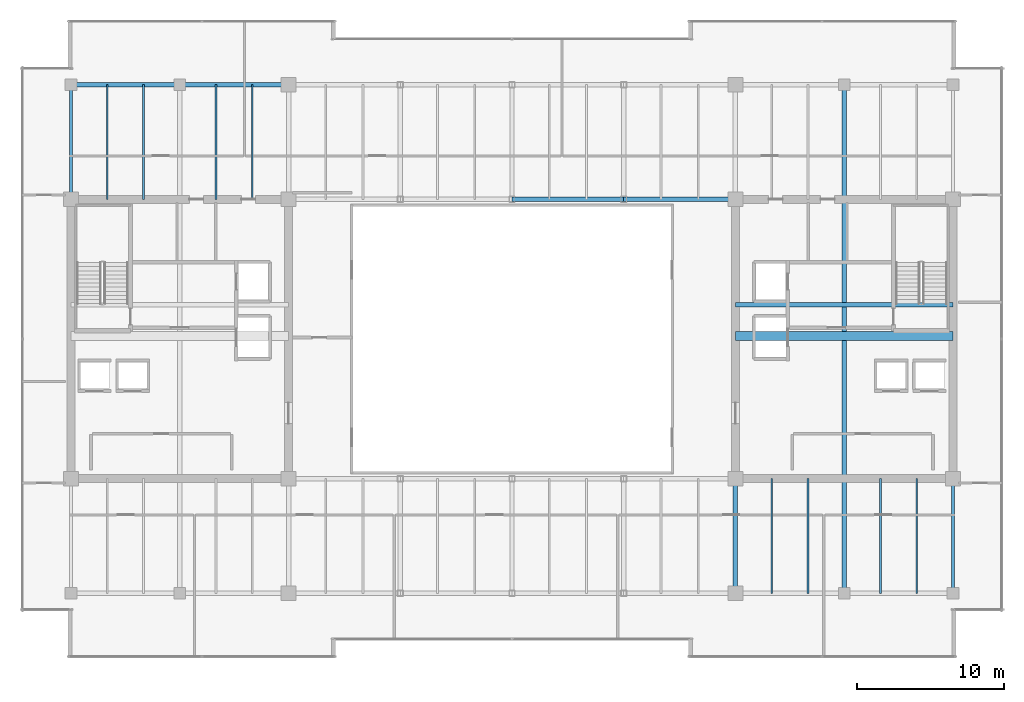
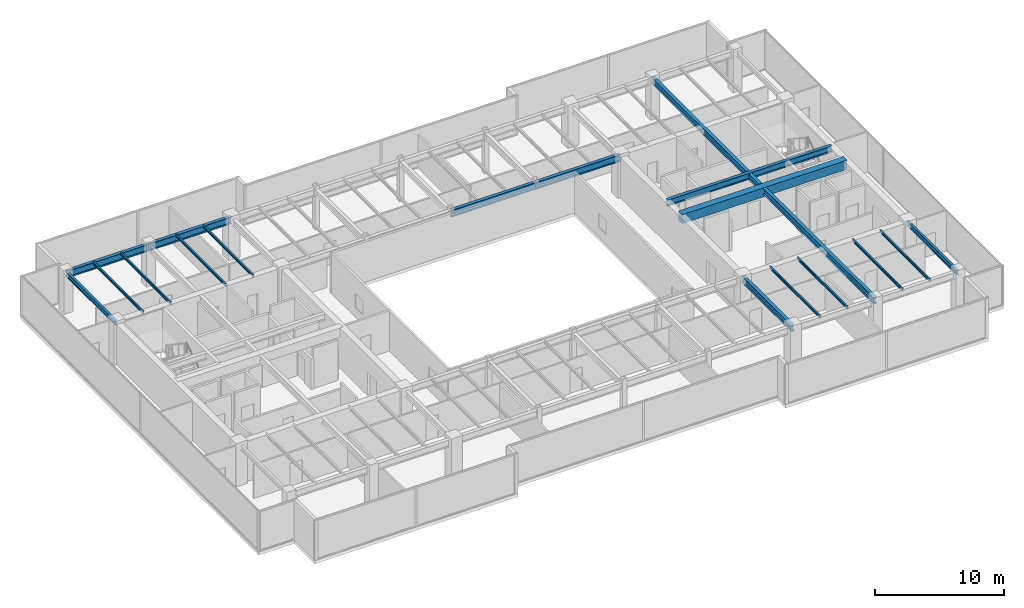
# One storey, part 14 of 33: 18 beams.
"""IFC4 building model written with IfcOpenShell, lengths in metres."""

from ifc_helpers import new_model, si_unit, direction, frame, origin, origin_2d, place, context, subcontext, project, spatial, rectangle, i_section, extrude, source, transform, mapped, material, material_profile, profile_set, type_object, type_shapes, element, save


model = new_model("IFC4")

# Units and contexts
model_context = context("Model", 3, precision=1e-05, world=origin(), true_north=direction((0.0, 1.0)))
body_context = subcontext(model_context, "Body", "Model", "MODEL_VIEW")
ifc_project = project(units=[si_unit("LENGTHUNIT", "METRE"), si_unit("AREAUNIT", "SQUARE_METRE"), si_unit("VOLUMEUNIT", "CUBIC_METRE"), si_unit("PLANEANGLEUNIT", "RADIAN"), si_unit("MASSUNIT", "GRAM", prefix="KILO")], contexts=[model_context])

# Site, building, storey
site_placement = place(None, origin())
site = spatial("IfcSite", under=ifc_project, at=site_placement, CompositionType="ELEMENT")
building_placement = place(site_placement, origin())
building = spatial("IfcBuilding", under=site, at=building_placement, Name="Haelvirn Gate Laboratories", CompositionType="ELEMENT")
storey_placement = place(building_placement, frame((0.0, 0.0, 279.300048828125)))
storey = spatial("IfcBuildingStorey", under=building, at=storey_placement, Name="L67", CompositionType="ELEMENT", Elevation=279.300048828125)

# Beams
ifc_material_1 = material(Name="Steel SM355", Category="steel")
ifc_material_profile_1 = material_profile(ifc_material_1, i_section(OverallWidth=0.300048828125, OverallDepth=0.587890625, WebThickness=0.011962890625, FlangeThickness=0.02001953125, at=origin_2d()), Name="H-588x300x12x20")
ifc_profile_set_1 = profile_set([ifc_material_profile_1], Name="Steel SM355")
beam_type_1 = type_object("IfcBeamType", Name="BM-G-588", PredefinedType="BEAM", material=ifc_profile_set_1)
shared_shape_1 = source(origin(), body_context, "Body", "SweptSolid", [
    extrude(i_section(OverallWidth=0.300048828125, OverallDepth=0.587890625, WebThickness=0.011962890625, FlangeThickness=0.02001953125, at=origin_2d()), origin(), (0.0, 0.0, 1.0), 14.7998046875),
])
beam_1_placement = place(storey_placement, frame((52.60009765625, 26.6201171875, 3.505859375), z_axis=(1.0, 0.0, 0.0), x_axis=(0.0, 1.0, 0.0)))
element("IfcBeam", 1, at=beam_1_placement, inside=storey, type_object=beam_type_1, Name="L67 Stair ST2 Landing Header", PredefinedType="BEAM", context=body_context, shape_type="MappedRepresentation", body=[
    mapped(shared_shape_1, transform((0.0, 0.0, 0.0), scale=1.0)),
])
shared_shape_2 = source(origin(), body_context, "Body", "SweptSolid", [
    extrude(i_section(OverallWidth=0.300048828125, OverallDepth=0.587890625, WebThickness=0.011962890625, FlangeThickness=0.02001953125, at=origin_2d()), origin(), (0.0, 0.0, 1.0), 34.60009765625),
])
beam_2_placement = place(storey_placement, frame((60.0, 7.0, 3.505859375), z_axis=(0.0, 1.0, 0.0), x_axis=(-1.0, 0.0, 0.0)))
element("IfcBeam", 2, at=beam_2_placement, inside=storey, type_object=beam_type_1, Name="L67 Frame Girder X60.0 (7.0-41.6)", PredefinedType="BEAM", context=body_context, shape_type="MappedRepresentation", body=[
    mapped(shared_shape_2, transform((0.0, 0.0, 0.0), scale=1.0)),
])
shared_shape_3 = source(origin(), body_context, "Body", "SweptSolid", [
    extrude(i_section(OverallWidth=0.300048828125, OverallDepth=0.587890625, WebThickness=0.011962890625, FlangeThickness=0.02001953125, at=origin_2d()), origin(), (0.0, 0.0, 1.0), 7.800048828125),
])
type_shapes(beam_type_1, [shared_shape_1, shared_shape_2, shared_shape_3])
beam_3_placement = place(storey_placement, frame((52.60009765625, 7.0, 3.505859375), z_axis=(0.0, 1.0, 0.0), x_axis=(-1.0, 0.0, 0.0)))
element("IfcBeam", 3, at=beam_3_placement, inside=storey, type_object=beam_type_1, Name="L67 Frame Girder X52.6 (7.0-14.8)", PredefinedType="BEAM", context=body_context, shape_type="MappedRepresentation", body=[
    mapped(shared_shape_3, transform((0.0, 0.0, 0.0), scale=1.0)),
])
ifc_material_2 = material(Name="Concrete C50/60", Category="concrete")
ifc_material_profile_2 = material_profile(ifc_material_2, rectangle(XDim=0.60009765625, YDim=0.85009765625, at=origin_2d()), Name="RCB-600x850")
ifc_profile_set_2 = profile_set([ifc_material_profile_2], Name="Concrete C50/60")
beam_type_2 = type_object("IfcBeamType", Name="BM-RCB-850", PredefinedType="LINTEL", material=ifc_profile_set_2)
shared_shape_4 = source(origin(), body_context, "Body", "SweptSolid", [
    extrude(rectangle(XDim=0.60009765625, YDim=0.85009765625, at=origin_2d()), origin(), (0.0, 0.0, 1.0), 14.7998046875),
])
type_shapes(beam_type_2, [shared_shape_4])
beam_4_placement = place(storey_placement, frame((52.60009765625, 24.5, 3.375), z_axis=(1.0, 0.0, 0.0), x_axis=(0.0, 1.0, 0.0)))
element("IfcBeam", 4, at=beam_4_placement, inside=storey, type_object=beam_type_2, Name="L67 East Core Coupling Beam", PredefinedType="LINTEL", context=body_context, shape_type="MappedRepresentation", body=[
    mapped(shared_shape_4, transform((0.0, 0.0, 0.0), scale=1.0)),
])
ifc_material_profile_3 = material_profile(ifc_material_1, i_section(OverallWidth=0.300048828125, OverallDepth=0.64990234375, WebThickness=0.012939453125, FlangeThickness=0.02197265625, at=origin_2d()), Name="H-650x300x13x22")
ifc_profile_set_3 = profile_set([ifc_material_profile_3], Name="Steel SM355")
beam_type_3 = type_object("IfcBeamType", Name="BM-G-650", PredefinedType="BEAM", material=ifc_profile_set_3)
shared_shape_5 = source(origin(), body_context, "Body", "SweptSolid", [
    extrude(i_section(OverallWidth=0.300048828125, OverallDepth=0.64990234375, WebThickness=0.012939453125, FlangeThickness=0.02197265625, at=origin_2d()), origin(), (0.0, 0.0, 1.0), 7.400146484375),
])
beam_5_placement = place(storey_placement, frame((7.39990234375, 41.60009765625, 3.474853515625), z_axis=(1.0, 0.0, 0.0), x_axis=(0.0, 1.0, 0.0)))
element("IfcBeam", 5, at=beam_5_placement, inside=storey, type_object=beam_type_3, Name="L67 Primary Girder Y41.6 (7.4-14.8)", PredefinedType="BEAM", context=body_context, shape_type="MappedRepresentation", body=[
    mapped(shared_shape_5, transform((0.0, 0.0, 0.0), scale=1.0)),
])
shared_shape_6 = source(origin(), body_context, "Body", "SweptSolid", [
    extrude(i_section(OverallWidth=0.300048828125, OverallDepth=0.64990234375, WebThickness=0.012939453125, FlangeThickness=0.02197265625, at=origin_2d()), origin(), (0.0, 0.0, 1.0), 7.39990234375),
])
beam_6_placement = place(storey_placement, frame((14.800048828125, 41.60009765625, 3.474853515625), z_axis=(1.0, 0.0, 0.0), x_axis=(0.0, 1.0, 0.0)))
element("IfcBeam", 6, at=beam_6_placement, inside=storey, type_object=beam_type_3, Name="L67 Primary Girder Y41.6 (14.8-22.2)", PredefinedType="BEAM", context=body_context, shape_type="MappedRepresentation", body=[
    mapped(shared_shape_6, transform((0.0, 0.0, 0.0), scale=1.0)),
])
shared_shape_7 = source(origin(), body_context, "Body", "SweptSolid", [
    extrude(i_section(OverallWidth=0.300048828125, OverallDepth=0.64990234375, WebThickness=0.012939453125, FlangeThickness=0.02197265625, at=origin_2d()), origin(), (0.0, 0.0, 1.0), 7.60009765625),
])
type_shapes(beam_type_3, [shared_shape_5, shared_shape_6, shared_shape_7])
for number, where, z_axis, x_axis, name in (
    (7, (37.39990234375, 33.800048828125, 3.474853515625), (1.0, 0.0, 0.0), (0.0, 1.0, 0.0), "L67 Primary Girder Y33.8 (37.4-45.0)"),
    (8, (45.0, 33.800048828125, 3.474853515625), (1.0, 0.0, 0.0), (0.0, 1.0, 0.0), "L67 Primary Girder Y33.8 (45.0-52.6)"),
):
    element("IfcBeam", number, at=place(storey_placement, frame(where, z_axis=z_axis, x_axis=x_axis)), inside=storey, type_object=beam_type_3, Name=name, PredefinedType="BEAM", context=body_context, shape_type="MappedRepresentation", body=[
        mapped(shared_shape_7, transform((0.0, 0.0, 0.0), scale=1.0)),
    ])
ifc_material_profile_4 = material_profile(ifc_material_1, i_section(OverallWidth=0.199951171875, OverallDepth=0.449951171875, WebThickness=0.009033203125, FlangeThickness=0.013916015625, at=origin_2d()), Name="H-450x200x9x14")
ifc_profile_set_4 = profile_set([ifc_material_profile_4], Name="Steel SM355")
beam_type_4 = type_object("IfcBeamType", Name="BM-SP-450", PredefinedType="SPANDREL", material=ifc_profile_set_4)
shared_shape_8 = source(origin(), body_context, "Body", "SweptSolid", [
    extrude(i_section(OverallWidth=0.199951171875, OverallDepth=0.449951171875, WebThickness=0.009033203125, FlangeThickness=0.013916015625, at=origin_2d()), origin(), (0.0, 0.0, 1.0), 7.800048828125),
])
type_shapes(beam_type_4, [shared_shape_8])
for number, where, z_axis, x_axis, name in (
    (9, (7.39990234375, 33.800048828125, 3.574951171875), (0.0, 1.0, 0.0), (-1.0, 0.0, 0.0), "L67 Perimeter Spandrel X7.4 (33.8-41.6)"),
    (10, (67.39990234375, 7.0, 3.574951171875), (0.0, 1.0, 0.0), (-1.0, 0.0, 0.0), "L67 Perimeter Spandrel X67.4 (7.0-14.8)"),
):
    element("IfcBeam", number, at=place(storey_placement, frame(where, z_axis=z_axis, x_axis=x_axis)), inside=storey, type_object=beam_type_4, Name=name, PredefinedType="SPANDREL", context=body_context, shape_type="MappedRepresentation", body=[
        mapped(shared_shape_8, transform((0.0, 0.0, 0.0), scale=1.0)),
    ])
ifc_material_profile_5 = material_profile(ifc_material_1, i_section(OverallWidth=0.125, OverallDepth=0.25, WebThickness=0.006103515625, FlangeThickness=0.009033203125, at=origin_2d()), Name="H-250x125x6x9")
ifc_profile_set_5 = profile_set([ifc_material_profile_5], Name="Steel SM355")
beam_type_5 = type_object("IfcBeamType", Name="BM-J-250", PredefinedType="JOIST", material=ifc_profile_set_5)
shared_shape_9 = source(origin(), body_context, "Body", "SweptSolid", [
    extrude(i_section(OverallWidth=0.125, OverallDepth=0.25, WebThickness=0.006103515625, FlangeThickness=0.009033203125, at=origin_2d()), origin(), (0.0, 0.0, 1.0), 7.800048828125),
])
type_shapes(beam_type_5, [shared_shape_9])
for number, where, z_axis, x_axis, name in (
    (11, (9.8701171875, 33.800048828125, 3.675048828125), (0.0, 1.0, 0.0), (-1.0, 0.0, 0.0), "L67 Composite Lab Joist North X9.87"),
    (12, (12.330078125, 33.800048828125, 3.675048828125), (0.0, 1.0, 0.0), (-1.0, 0.0, 0.0), "L67 Composite Lab Joist North X12.33"),
    (13, (17.27001953125, 33.800048828125, 3.675048828125), (0.0, 1.0, 0.0), (-1.0, 0.0, 0.0), "L67 Composite Lab Joist North X17.27"),
    (14, (19.72998046875, 33.800048828125, 3.675048828125), (0.0, 1.0, 0.0), (-1.0, 0.0, 0.0), "L67 Composite Lab Joist North X19.73"),
    (15, (55.070068359375, 7.0, 3.675048828125), (0.0, 1.0, 0.0), (-1.0, 0.0, 0.0), "L67 Composite Lab Joist South X55.07"),
    (16, (57.530029296875, 7.0, 3.675048828125), (0.0, 1.0, 0.0), (-1.0, 0.0, 0.0), "L67 Composite Lab Joist South X57.53"),
    (17, (62.469970703125, 7.0, 3.675048828125), (0.0, 1.0, 0.0), (-1.0, 0.0, 0.0), "L67 Composite Lab Joist South X62.47"),
    (18, (64.929931640625, 7.0, 3.675048828125), (0.0, 1.0, 0.0), (-1.0, 0.0, 0.0), "L67 Composite Lab Joist South X64.93"),
):
    element("IfcBeam", number, at=place(storey_placement, frame(where, z_axis=z_axis, x_axis=x_axis)), inside=storey, type_object=beam_type_5, Name=name, PredefinedType="JOIST", context=body_context, shape_type="MappedRepresentation", body=[
        mapped(shared_shape_9, transform((0.0, 0.0, 0.0), scale=1.0)),
    ])

save(model, "model.ifc")
